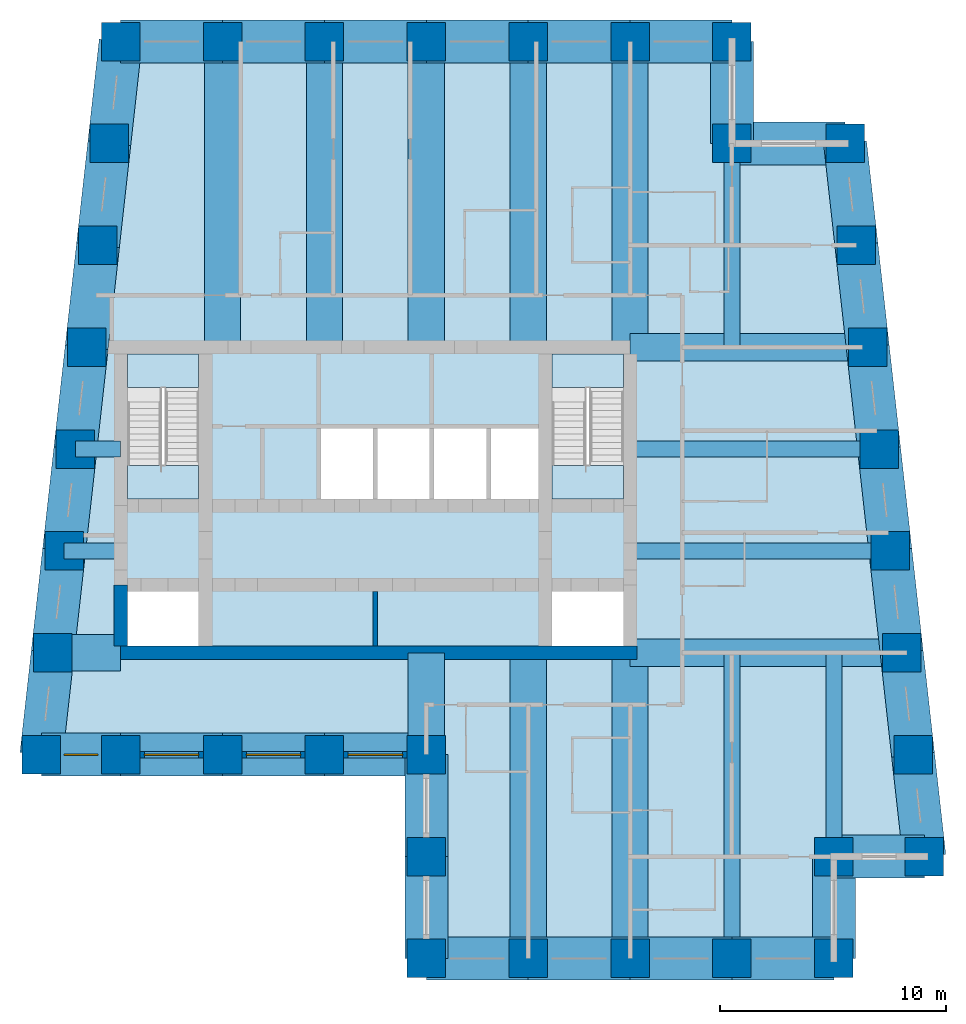
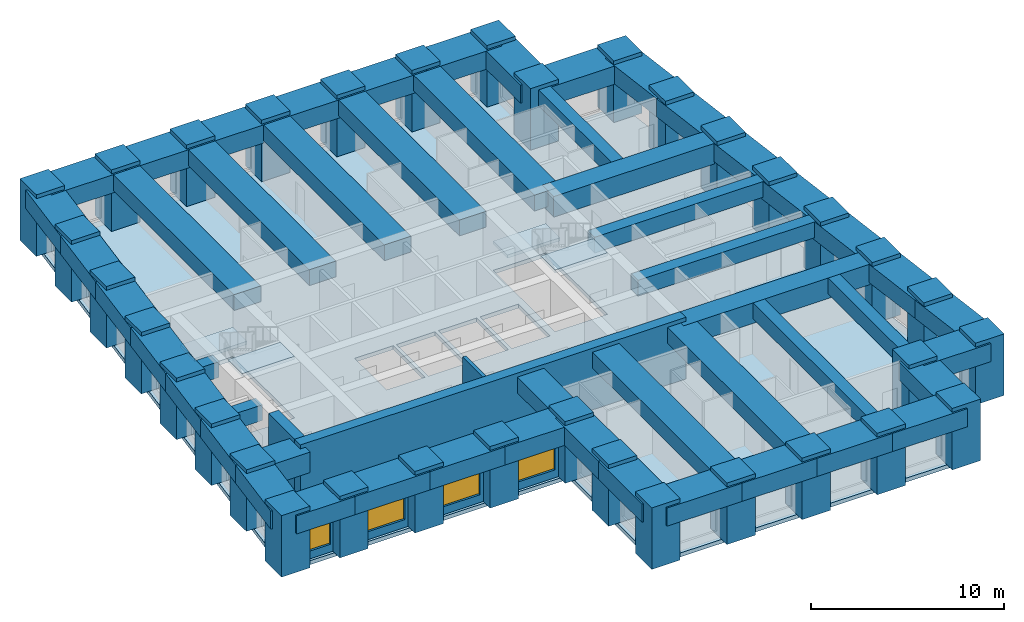
# One storey, part 1 of 7: 52 beams, 34 columns, 5 slabs, 4 walls, 4 windows, 4 openings, 2 elements without a shape of their own.
"""IFC4 building model written with IfcOpenShell, lengths in metres."""

import ifcopenshell
import ifcopenshell.guid

model = None  # the IFC model being written
_history = None  # IfcOwnerHistory: only IFC2X3 demands one
_inside = {}  # id of a spatial element -> (the spatial element, [elements in it])
_under = {}  # id of a project, library or spatial element -> (it, [spatial elements below it])
_declared = {}  # id of a project -> (the project, [libraries it declares])
_typed = {}  # id of a type object -> (the type object, [elements of that type])
_made_of = {}  # id of a material, layer set ... -> (it, [elements and type objects made of it])


def new_model(schema):
    """Start an empty IFC model of exactly this schema.

    Asked for "IFC4X3", IfcOpenShell would pick the latest addendum, in which some entities
    have other attributes; the version numbers below select the first issue.
    IFC2X3 requires an IfcOwnerHistory on every rooted entity: one is made here for all.
    """
    global model, _history
    if schema == "IFC4X3":
        model = ifcopenshell.file(schema_version=(4, 3, 0, 0))
    else:
        model = ifcopenshell.file(schema=schema)
    _inside.clear()
    _under.clear()
    _declared.clear()
    _typed.clear()
    _made_of.clear()
    _history = None
    if model.schema == "IFC2X3":
        org = make("IfcOrganization", Name="unknown")
        user = make(
            "IfcPersonAndOrganization",
            ThePerson=make("IfcPerson", FamilyName="unknown"),
            TheOrganization=org,
        )
        app = make(
            "IfcApplication",
            ApplicationDeveloper=org,
            Version="unknown",
            ApplicationFullName="unknown",
            ApplicationIdentifier="unknown",
        )
        _history = make(
            "IfcOwnerHistory",
            OwningUser=user,
            OwningApplication=app,
            ChangeAction="ADDED",
            CreationDate=0,
        )
    return model


def make(cls, **values):
    """One entity of the class cls with the attributes given. An attribute that is None is left unset."""
    return model.create_entity(
        cls, **{name: value for name, value in values.items() if value is not None}
    )


def rooted(cls, **values):
    """An entity with a GlobalId (a new one), such as an element, a storey or a relation."""
    return make(cls, GlobalId=ifcopenshell.guid.new(), OwnerHistory=_history, **values)


def si_unit(unit_type, name, prefix=None):
    """IfcSIUnit, for example si_unit("LENGTHUNIT", "METRE", prefix="MILLI")."""
    return make("IfcSIUnit", UnitType=unit_type, Prefix=prefix, Name=name)


def assignment(units):
    """IfcUnitAssignment: the units of a project."""
    return None if units is None else make("IfcUnitAssignment", Units=units)


def point(xyz):
    """IfcCartesianPoint."""
    return None if xyz is None else make("IfcCartesianPoint", Coordinates=xyz)


def direction(xyz):
    """IfcDirection."""
    return None if xyz is None else make("IfcDirection", DirectionRatios=xyz)


def frame(location, z_axis=None, x_axis=None):
    """IfcAxis2Placement3D, a coordinate frame: its origin and axes. An axis left out is left unset."""
    return make(
        "IfcAxis2Placement3D",
        Location=point(location),
        Axis=direction(z_axis),
        RefDirection=direction(x_axis),
    )


def frame_2d(location, x_axis=None):
    """IfcAxis2Placement2D, a coordinate frame in the plane: its origin and x axis."""
    return make(
        "IfcAxis2Placement2D", Location=point(location), RefDirection=direction(x_axis)
    )


def origin():
    """The frame at (0, 0, 0) with its axes left unset."""
    return frame((0.0, 0.0, 0.0))


def origin_2d():
    """The frame at (0, 0) in the plane with its x axis left unset."""
    return frame_2d((0.0, 0.0))


def place(relative_to, where):
    """IfcLocalPlacement: puts the frame where relative to a parent placement (None: the world)."""
    return make(
        "IfcLocalPlacement", PlacementRelTo=relative_to, RelativePlacement=where
    )


def context(
    kind, dimensions, precision=None, world=None, true_north=None, identifier=None
):
    """IfcGeometricRepresentationContext, for example the 3D "Model" context."""
    return make(
        "IfcGeometricRepresentationContext",
        ContextIdentifier=identifier,
        ContextType=kind,
        CoordinateSpaceDimension=dimensions,
        Precision=precision,
        WorldCoordinateSystem=world,
        TrueNorth=true_north,
    )


def subcontext(parent, identifier, kind, view, scale=None):
    """IfcGeometricRepresentationSubContext, for example "Body" below "Model"."""
    return make(
        "IfcGeometricRepresentationSubContext",
        ContextIdentifier=identifier,
        ContextType=kind,
        ParentContext=parent,
        TargetScale=scale,
        TargetView=view,
    )


def project(units=None, contexts=None):
    """IfcProject with its units and contexts."""
    return rooted(
        "IfcProject",
        Name="project",
        RepresentationContexts=contexts,
        UnitsInContext=assignment(units),
    )


def spatial(cls, under=None, at=None, **own):
    """A site, building, storey or space (cls), placed at a placement, below another one or the project."""
    s = rooted(cls, ObjectPlacement=at, **own)
    if under is not None:
        _under.setdefault(under.id(), (under, []))[1].append(s)
    return s


def polyline(points):
    """IfcPolyline through the points."""
    return make("IfcPolyline", Points=[point(p) for p in points])


def profile(cls, at=None, kind="AREA", **sizes):
    """A parametric profile (cls). Its sizes go by their IFC names, for example OverallWidth=200.0."""
    return make(cls, ProfileType=kind, Position=at, **sizes)


def rectangle(**sizes):
    """IfcRectangleProfileDef."""
    return profile("IfcRectangleProfileDef", **sizes)


def outline(outer, holes=None, kind="AREA"):
    """IfcArbitraryClosedProfileDef: a profile drawn as a closed curve; with holes, ...WithVoids."""
    if holes is None:
        return make("IfcArbitraryClosedProfileDef", ProfileType=kind, OuterCurve=outer)
    return make(
        "IfcArbitraryProfileDefWithVoids",
        ProfileType=kind,
        OuterCurve=outer,
        InnerCurves=holes,
    )


def extrude(swept, where, along, depth):
    """IfcExtrudedAreaSolid: the profile swept, set in the frame where, extruded along a direction by depth."""
    return make(
        "IfcExtrudedAreaSolid",
        SweptArea=swept,
        Position=where,
        ExtrudedDirection=direction(along),
        Depth=depth,
    )


def shape(context_of_items, identifier, shape_type, items):
    """IfcShapeRepresentation: the items that make up one representation, for example the "Body"."""
    return make(
        "IfcShapeRepresentation",
        ContextOfItems=context_of_items,
        RepresentationIdentifier=identifier,
        RepresentationType=shape_type,
        Items=items,
    )


def material(Name=None, Category=None):
    """IfcMaterial."""
    return make("IfcMaterial", Name=Name, Category=Category)


def layer(
    of_material, thickness, ventilated=None, Name=None, Category=None, Priority=None
):
    """IfcMaterialLayer: one layer of a wall or slab, of a material (None: an air gap)."""
    return make(
        "IfcMaterialLayer",
        Material=of_material,
        LayerThickness=thickness,
        IsVentilated=ventilated,
        Name=Name,
        Category=Category,
        Priority=Priority,
    )


def layer_set(layers, Name=None):
    """IfcMaterialLayerSet."""
    return make("IfcMaterialLayerSet", MaterialLayers=layers, LayerSetName=Name)


def material_profile(
    of_material, cross_section, Name=None, Category=None, Priority=None
):
    """IfcMaterialProfile: a cross section and its material."""
    return make(
        "IfcMaterialProfile",
        Name=Name,
        Material=of_material,
        Profile=cross_section,
        Priority=Priority,
        Category=Category,
    )


def profile_set(profiles, Name=None, composite=None):
    """IfcMaterialProfileSet."""
    return make(
        "IfcMaterialProfileSet",
        Name=Name,
        MaterialProfiles=profiles,
        CompositeProfile=composite,
    )


def made_of(thing, what):
    """Note that an element or type object is made of a material, layer set ...; save() writes the relation."""
    if what is not None:
        _made_of.setdefault(what.id(), (what, []))[1].append(thing)
    return thing


def type_object(cls, material=None, **own):
    """A type object (cls), such as IfcWallType, which elements share."""
    return made_of(rooted(cls, **own), material)


def element(
    cls,
    number,
    at=None,
    inside=None,
    cuts=None,
    type_object=None,
    material=None,
    context=None,
    identifier="Body",
    shape_type=None,
    held_by="IfcProductDefinitionShape",
    body=None,
    shapes=None,
    **own,
):
    """One element of the class cls, such as IfcWall. Its Tag is "e" and its number.

    at: its placement. inside: the storey or other place that contains it. cuts: it is an
    opening in that element (IfcRelVoidsElement). A single representation is given by context,
    identifier, shape_type and body (its items); several are given by shapes. held_by: the class
    of the entity that holds the representations. save() writes the other relations.
    """
    e = rooted(cls, Tag="e%d" % number, ObjectPlacement=at, **own)
    if body is not None:
        shapes = [shape(context, identifier, shape_type, body)]
    if shapes is not None:
        e.Representation = make(held_by, Representations=shapes)
    if inside is not None:
        _inside.setdefault(inside.id(), (inside, []))[1].append(e)
    if cuts is not None:
        rooted(
            "IfcRelVoidsElement", RelatingBuildingElement=cuts, RelatedOpeningElement=e
        )
    if type_object is not None:
        _typed.setdefault(type_object.id(), (type_object, []))[1].append(e)
    return made_of(e, material)


def fill(opening, filler):
    """IfcRelFillsElement: the door or window that sits in an opening."""
    return rooted(
        "IfcRelFillsElement",
        RelatingOpeningElement=opening,
        RelatedBuildingElement=filler,
    )


def aggregate(whole, parts):
    """IfcRelAggregates: a whole, such as a stair, and the parts it consists of."""
    return rooted("IfcRelAggregates", RelatingObject=whole, RelatedObjects=parts)


def save(model, path):
    """Write the relations noted so far, then the file.

    IfcRelAggregates (storeys below a building ...), IfcRelContainedInSpatialStructure (elements
    in a storey), IfcRelDefinesByType, IfcRelAssociatesMaterial and IfcRelDeclares: one each for
    every whole, place, type object, material and project.
    """
    for whole, parts in _under.values():
        aggregate(whole, parts)
    for where, things in _inside.values():
        rooted(
            "IfcRelContainedInSpatialStructure",
            RelatedElements=things,
            RelatingStructure=where,
        )
    for kind, things in _typed.values():
        rooted("IfcRelDefinesByType", RelatedObjects=things, RelatingType=kind)
    for what, things in _made_of.values():
        rooted("IfcRelAssociatesMaterial", RelatedObjects=things, RelatingMaterial=what)
    for by, libraries in _declared.values():
        rooted("IfcRelDeclares", RelatingContext=by, RelatedDefinitions=libraries)
    model.write(path)


model = new_model("IFC4")

# Units and contexts
model_context = context("Model", 3, precision=1e-05, world=origin(), true_north=direction((0.0, 1.0)))
body_context = subcontext(model_context, "Body", "Model", "MODEL_VIEW")
ifc_project = project(units=[si_unit("LENGTHUNIT", "METRE"), si_unit("AREAUNIT", "SQUARE_METRE"), si_unit("VOLUMEUNIT", "CUBIC_METRE"), si_unit("PLANEANGLEUNIT", "RADIAN"), si_unit("MASSUNIT", "GRAM", prefix="KILO")], contexts=[model_context])

# Site, building, storey
site_placement = place(None, origin())
site = spatial("IfcSite", under=ifc_project, at=site_placement, CompositionType="ELEMENT")
building_placement = place(site_placement, origin())
building = spatial("IfcBuilding", under=site, at=building_placement, Name="Kilele Tower Hotel", CompositionType="ELEMENT")
storey_placement = place(building_placement, frame((0.0, 0.0, 233.0)))
storey = spatial("IfcBuildingStorey", under=building, at=storey_placement, Name="L60", CompositionType="ELEMENT", Elevation=233.0)

# Columns
ifc_material_1 = material(Name="Concrete C60/75", Category="concrete")
ifc_material_profile_1 = material_profile(ifc_material_1, rectangle(XDim=1.699951171875, YDim=1.699951171875, at=origin_2d()))
ifc_profile_set_1 = profile_set([ifc_material_profile_1], Name="Concrete C60/75")
column_type = type_object("IfcColumnType", Name="Tube column RC 1700x1700 C60/75", PredefinedType="COLUMN", material=ifc_profile_set_1)
for number, where, z_axis, x_axis, name in (
    (1, (10.0, 9.0, 0.0), (0.0, 0.0, 1.0), (1.0, 0.0, 0.0), "Column TC4 L60"),
    (2, (13.5, 9.0, 0.0), (0.0, 0.0, 1.0), (1.0, 0.0, 0.0), "Column TC4 L60"),
    (3, (18.0, 9.0, 0.0), (0.0, 0.0, 1.0), (1.0, 0.0, 0.0), "Column TC4 L60"),
    (4, (22.5, 9.0, 0.0), (0.0, 0.0, 1.0), (1.0, 0.0, 0.0), "Column TC4 L60"),
    (5, (27.0, 9.0, 0.0), (0.0, 0.0, 1.0), (1.0, 0.0, 0.0), "Column TC4 L60"),
    (6, (27.0, 4.5, 0.0), (0.0, 0.0, 1.0), (1.0, 0.0, 0.0), "Column TC4 L60"),
    (7, (27.0, 0.0, 0.0), (0.0, 0.0, 1.0), (1.0, 0.0, 0.0), "Column TC4 L60"),
    (8, (31.5, 0.0, 0.0), (0.0, 0.0, 1.0), (1.0, 0.0, 0.0), "Column TC4 L60"),
    (9, (36.0, 0.0, 0.0), (0.0, 0.0, 1.0), (1.0, 0.0, 0.0), "Column TC4 L60"),
    (10, (40.5, 0.0, 0.0), (0.0, 0.0, 1.0), (1.0, 0.0, 0.0), "Column TC4 L60"),
    (11, (45.0, 0.0, 0.0), (0.0, 0.0, 1.0), (1.0, 0.0, 0.0), "Column TC4 L60"),
    (12, (45.0, 4.5, 0.0), (0.0, 0.0, 1.0), (1.0, 0.0, 0.0), "Column TC4 L60"),
    (13, (49.0, 4.5, 0.0), (0.0, 0.0, 1.0), (1.0, 0.0, 0.0), "Column TC4 L60"),
    (14, (48.5, 9.0, 0.0), (0.0, 0.0, 1.0), (1.0, 0.0, 0.0), "Column TC4 L60"),
    (15, (48.0, 13.5, 0.0), (0.0, 0.0, 1.0), (1.0, 0.0, 0.0), "Column TC4 L60"),
    (16, (47.5, 18.0, 0.0), (0.0, 0.0, 1.0), (1.0, 0.0, 0.0), "Column TC4 L60"),
    (17, (47.0, 22.5, 0.0), (0.0, 0.0, 1.0), (1.0, 0.0, 0.0), "Column TC4 L60"),
    (18, (46.5, 27.0, 0.0), (0.0, 0.0, 1.0), (1.0, 0.0, 0.0), "Column TC4 L60"),
    (19, (46.0, 31.5, 0.0), (0.0, 0.0, 1.0), (1.0, 0.0, 0.0), "Column TC4 L60"),
    (20, (45.5, 36.0, 0.0), (0.0, 0.0, 1.0), (1.0, 0.0, 0.0), "Column TC4 L60"),
    (21, (40.5, 36.0, 0.0), (0.0, 0.0, 1.0), (1.0, 0.0, 0.0), "Column TC4 L60"),
    (22, (40.5, 40.5, 0.0), (0.0, 0.0, 1.0), (1.0, 0.0, 0.0), "Column TC4 L60"),
    (23, (36.0, 40.5, 0.0), (0.0, 0.0, 1.0), (1.0, 0.0, 0.0), "Column TC4 L60"),
    (24, (31.5, 40.5, 0.0), (0.0, 0.0, 1.0), (1.0, 0.0, 0.0), "Column TC4 L60"),
    (25, (27.0, 40.5, 0.0), (0.0, 0.0, 1.0), (1.0, 0.0, 0.0), "Column TC4 L60"),
    (26, (22.5, 40.5, 0.0), (0.0, 0.0, 1.0), (1.0, 0.0, 0.0), "Column TC4 L60"),
    (27, (18.0, 40.5, 0.0), (0.0, 0.0, 1.0), (1.0, 0.0, 0.0), "Column TC4 L60"),
    (28, (13.5, 40.5, 0.0), (0.0, 0.0, 1.0), (1.0, 0.0, 0.0), "Column TC4 L60"),
    (29, (13.0, 36.0, 0.0), (0.0, 0.0, 1.0), (1.0, 0.0, 0.0), "Column TC4 L60"),
    (30, (12.5, 31.5, 0.0), (0.0, 0.0, 1.0), (1.0, 0.0, 0.0), "Column TC4 L60"),
    (31, (12.0, 27.0, 0.0), (0.0, 0.0, 1.0), (1.0, 0.0, 0.0), "Column TC4 L60"),
    (32, (11.5, 22.5, 0.0), (0.0, 0.0, 1.0), (1.0, 0.0, 0.0), "Column TC4 L60"),
    (33, (11.0, 18.0, 0.0), (0.0, 0.0, 1.0), (1.0, 0.0, 0.0), "Column TC4 L60"),
    (34, (10.5, 13.5, 0.0), (0.0, 0.0, 1.0), (1.0, 0.0, 0.0), "Column TC4 L60"),
):
    element("IfcColumn", number, at=place(storey_placement, frame(where, z_axis=z_axis, x_axis=x_axis)), inside=storey, type_object=column_type, Name=name, PredefinedType="COLUMN", context=body_context, shape_type="SweptSolid", body=[
        extrude(rectangle(XDim=1.699951171875, YDim=1.699951171875, at=origin_2d()), origin(), (0.0, 0.0, 1.0), 3.89990234375),
    ])

# Beams
ifc_material_2 = material(Name="Concrete C60/75", Category="concrete")
ifc_material_profile_2 = material_profile(ifc_material_2, rectangle(XDim=1.60009765625, YDim=1.0, at=origin_2d()))
ifc_profile_set_2 = profile_set([ifc_material_profile_2], Name="Concrete C60/75")
beam_type_1 = type_object("IfcBeamType", Name="Beam RC 1600x1000 C60/75", PredefinedType="BEAM", material=ifc_profile_set_2)
for number, where, z_axis, x_axis, name in (
    (35, (31.5, 0.0, 3.14990234375), (0.0, 1.0, 0.0), (-1.0, 0.0, 0.0), "Beam BC1 level L61"),
    (36, (36.0, 0.0, 3.14990234375), (0.0, 1.0, 0.0), (-1.0, 0.0, 0.0), "Beam BC1 level L61"),
    (37, (36.0, 40.5, 3.14990234375), (0.0, -1.0, 0.0), (1.0, 0.0, 0.0), "Beam BC1 level L61"),
    (38, (31.5, 40.5, 3.14990234375), (0.0, -1.0, 0.0), (1.0, 0.0, 0.0), "Beam BC1 level L61"),
    (39, (27.0, 40.5, 3.14990234375), (0.0, -1.0, 0.0), (1.0, 0.0, 0.0), "Beam BC1 level L61"),
    (40, (22.5, 40.5, 3.14990234375), (0.0, -1.0, 0.0), (1.0, 0.0, 0.0), "Beam BC1 level L61"),
    (41, (18.0, 40.5, 3.14990234375), (0.0, -1.0, 0.0), (1.0, 0.0, 0.0), "Beam BC1 level L61"),
):
    element("IfcBeam", number, at=place(storey_placement, frame(where, z_axis=z_axis, x_axis=x_axis)), inside=storey, type_object=beam_type_1, Name=name, PredefinedType="BEAM", context=body_context, shape_type="SweptSolid", body=[
        extrude(rectangle(XDim=1.60009765625, YDim=1.0, at=origin_2d()), origin(), (0.0, 0.0, 1.0), 13.5),
    ])
ifc_material_3 = material(Name="Concrete C60/75", Category="concrete")
ifc_material_profile_3 = material_profile(ifc_material_3, rectangle(XDim=1.60009765625, YDim=1.0, at=origin_2d()))
ifc_profile_set_3 = profile_set([ifc_material_profile_3], Name="Concrete C60/75")
beam_type_2 = type_object("IfcBeamType", Name="Beam RC 1600x1000 C60/75 short span", PredefinedType="BEAM", material=ifc_profile_set_3)
beam_1_placement = place(storey_placement, frame((27.0, 9.0, 3.14990234375), z_axis=(0.0, 1.0, 0.0), x_axis=(-1.0, 0.0, 0.0)))
element("IfcBeam", 42, at=beam_1_placement, inside=storey, type_object=beam_type_2, Name="Beam BC2 level L61", PredefinedType="BEAM", context=body_context, shape_type="SweptSolid", body=[
    extrude(rectangle(XDim=1.60009765625, YDim=1.0, at=origin_2d()), origin(), (0.0, 0.0, 1.0), 4.5),
])
ifc_material_4 = material(Name="Concrete C60/75", Category="concrete")
ifc_material_profile_4 = material_profile(ifc_material_4, rectangle(XDim=0.699951171875, YDim=1.0, at=origin_2d()))
ifc_profile_set_4 = profile_set([ifc_material_profile_4], Name="Concrete C60/75")
beam_type_3 = type_object("IfcBeamType", Name="Beam RC 700x1000 C60/75", PredefinedType="BEAM", material=ifc_profile_set_4)
beam_2_placement = place(storey_placement, frame((40.5, 0.0, 3.14990234375), z_axis=(0.0, 1.0, 0.0), x_axis=(-1.0, 0.0, 0.0)))
element("IfcBeam", 43, at=beam_2_placement, inside=storey, type_object=beam_type_3, Name="Beam B4 level L61", PredefinedType="BEAM", context=body_context, shape_type="SweptSolid", body=[
    extrude(rectangle(XDim=0.699951171875, YDim=1.0, at=origin_2d()), origin(), (0.0, 0.0, 1.0), 13.5),
])
ifc_material_5 = material(Name="Concrete C60/75", Category="concrete")
ifc_material_profile_5 = material_profile(ifc_material_5, rectangle(XDim=0.699951171875, YDim=1.0, at=origin_2d()))
ifc_profile_set_5 = profile_set([ifc_material_profile_5], Name="Concrete C60/75")
beam_type_4 = type_object("IfcBeamType", Name="Beam RC 700x1000 C60/75 mid span", PredefinedType="BEAM", material=ifc_profile_set_5)
beam_3_placement = place(storey_placement, frame((45.0, 4.5, 3.14990234375), z_axis=(0.0, 1.0, 0.0), x_axis=(-1.0, 0.0, 0.0)))
element("IfcBeam", 44, at=beam_3_placement, inside=storey, type_object=beam_type_4, Name="Beam B5 level L61", PredefinedType="BEAM", context=body_context, shape_type="SweptSolid", body=[
    extrude(rectangle(XDim=0.699951171875, YDim=1.0, at=origin_2d()), origin(), (0.0, 0.0, 1.0), 9.0),
])
beam_4_placement = place(storey_placement, frame((47.5, 18.0, 3.14990234375), z_axis=(-1.0, 0.0, 0.0), x_axis=(0.0, -1.0, 0.0)))
element("IfcBeam", 45, at=beam_4_placement, inside=storey, type_object=beam_type_4, Name="Beam B5 level L61", PredefinedType="BEAM", context=body_context, shape_type="SweptSolid", body=[
    extrude(rectangle(XDim=0.699951171875, YDim=1.0, at=origin_2d()), origin(), (0.0, 0.0, 1.0), 11.5),
])
beam_5_placement = place(storey_placement, frame((47.0, 22.5, 3.14990234375), z_axis=(-1.0, 0.0, 0.0), x_axis=(0.0, -1.0, 0.0)))
element("IfcBeam", 46, at=beam_5_placement, inside=storey, type_object=beam_type_4, Name="Beam B5 level L61", PredefinedType="BEAM", context=body_context, shape_type="SweptSolid", body=[
    extrude(rectangle(XDim=0.699951171875, YDim=1.0, at=origin_2d()), origin(), (0.0, 0.0, 1.0), 11.0),
])
beam_6_placement = place(storey_placement, frame((40.5, 36.0, 3.14990234375), z_axis=(0.0, -1.0, 0.0), x_axis=(1.0, 0.0, 0.0)))
element("IfcBeam", 47, at=beam_6_placement, inside=storey, type_object=beam_type_4, Name="Beam B5 level L61", PredefinedType="BEAM", context=body_context, shape_type="SweptSolid", body=[
    extrude(rectangle(XDim=0.699951171875, YDim=1.0, at=origin_2d()), origin(), (0.0, 0.0, 1.0), 9.0),
])
ifc_material_6 = material(Name="Concrete C60/75", Category="concrete")
ifc_material_profile_6 = material_profile(ifc_material_6, rectangle(XDim=0.699951171875, YDim=1.0, at=origin_2d()))
ifc_profile_set_6 = profile_set([ifc_material_profile_6], Name="Concrete C60/75")
beam_type_5 = type_object("IfcBeamType", Name="Beam RC 700x1000 C60/75 short span", PredefinedType="BEAM", material=ifc_profile_set_6)
beam_7_placement = place(storey_placement, frame((11.5, 22.5, 3.14990234375), z_axis=(1.0, 0.0, 0.0), x_axis=(0.0, 1.0, 0.0)))
element("IfcBeam", 48, at=beam_7_placement, inside=storey, type_object=beam_type_5, Name="Beam B6 level L61", PredefinedType="BEAM", context=body_context, shape_type="SweptSolid", body=[
    extrude(rectangle(XDim=0.699951171875, YDim=1.0, at=origin_2d()), origin(), (0.0, 0.0, 1.0), 2.0),
])
beam_8_placement = place(storey_placement, frame((11.0, 18.0, 3.14990234375), z_axis=(1.0, 0.0, 0.0), x_axis=(0.0, 1.0, 0.0)))
element("IfcBeam", 49, at=beam_8_placement, inside=storey, type_object=beam_type_5, Name="Beam B6 level L61", PredefinedType="BEAM", context=body_context, shape_type="SweptSolid", body=[
    extrude(rectangle(XDim=0.699951171875, YDim=1.0, at=origin_2d()), origin(), (0.0, 0.0, 1.0), 2.5),
])
ifc_material_7 = material(Name="Concrete C60/75", Category="concrete")
ifc_material_profile_7 = material_profile(ifc_material_7, rectangle(XDim=1.60009765625, YDim=1.300048828125, at=origin_2d()))
ifc_profile_set_7 = profile_set([ifc_material_profile_7], Name="Concrete C60/75")
beam_type_6 = type_object("IfcBeamType", Name="Coupling girder RC 1600x1300 C60/75", PredefinedType="BEAM", material=ifc_profile_set_7)
beam_9_placement = place(storey_placement, frame((10.5, 13.5, 3.0), z_axis=(1.0, 0.0, 0.0), x_axis=(0.0, 1.0, 0.0)))
element("IfcBeam", 50, at=beam_9_placement, inside=storey, type_object=beam_type_6, Name="Coupling girder G2 level L61", PredefinedType="BEAM", context=body_context, shape_type="SweptSolid", body=[
    extrude(rectangle(XDim=1.60009765625, YDim=1.300048828125, at=origin_2d()), origin(), (0.0, 0.0, 1.0), 3.0),
])
ifc_material_8 = material(Name="Concrete C60/75", Category="concrete")
ifc_material_profile_8 = material_profile(ifc_material_8, rectangle(XDim=1.199951171875, YDim=1.300048828125, at=origin_2d()))
ifc_profile_set_8 = profile_set([ifc_material_profile_8], Name="Concrete C60/75")
beam_type_7 = type_object("IfcBeamType", Name="Girder RC 1200x1300 C60/75", PredefinedType="BEAM", material=ifc_profile_set_8)
beam_10_placement = place(storey_placement, frame((48.0, 13.5, 3.0), z_axis=(-1.0, 0.0, 0.0), x_axis=(0.0, -1.0, 0.0)))
element("IfcBeam", 51, at=beam_10_placement, inside=storey, type_object=beam_type_7, Name="Girder G1 level L61", PredefinedType="BEAM", context=body_context, shape_type="SweptSolid", body=[
    extrude(rectangle(XDim=1.199951171875, YDim=1.300048828125, at=origin_2d()), origin(), (0.0, 0.0, 1.0), 12.0),
])
ifc_material_9 = material(Name="Concrete C60/75", Category="concrete")
ifc_material_profile_9 = material_profile(ifc_material_9, rectangle(XDim=1.199951171875, YDim=1.300048828125, at=origin_2d()))
ifc_profile_set_9 = profile_set([ifc_material_profile_9], Name="Concrete C60/75")
beam_type_8 = type_object("IfcBeamType", Name="Girder RC 1200x1300 C60/75 mid span", PredefinedType="BEAM", material=ifc_profile_set_9)
beam_11_placement = place(storey_placement, frame((46.5, 27.0, 3.0), z_axis=(-1.0, 0.0, 0.0), x_axis=(0.0, -1.0, 0.0)))
element("IfcBeam", 52, at=beam_11_placement, inside=storey, type_object=beam_type_8, Name="Girder G3 level L61", PredefinedType="BEAM", context=body_context, shape_type="SweptSolid", body=[
    extrude(rectangle(XDim=1.199951171875, YDim=1.300048828125, at=origin_2d()), origin(), (0.0, 0.0, 1.0), 10.5),
])
ifc_material_10 = material(Name="Concrete C60/75", Category="concrete")
ifc_material_profile_10 = material_profile(ifc_material_10, rectangle(XDim=1.89990234375, YDim=1.14990234375, at=origin_2d()))
ifc_profile_set_10 = profile_set([ifc_material_profile_10], Name="Concrete C60/75")
beam_type_9 = type_object("IfcBeamType", Name="Spandrel RC 1900x1150 C60/75", PredefinedType="SPANDREL", material=ifc_profile_set_10)
beam_12_placement = place(storey_placement, frame((10.0, 9.0, 3.074951171875), z_axis=(1.0, 0.0, 0.0), x_axis=(0.0, 1.0, 0.0)))
element("IfcBeam", 53, at=beam_12_placement, inside=storey, type_object=beam_type_9, Name="Spandrel SP8 level L61", PredefinedType="SPANDREL", context=body_context, shape_type="SweptSolid", body=[
    extrude(rectangle(XDim=1.89990234375, YDim=1.14990234375, at=origin_2d()), origin(), (0.0, 0.0, 1.0), 3.5),
])
for number, where, z_axis, x_axis, name in (
    (54, (13.5, 9.0, 3.074951171875), (1.0, 0.0, 0.0), (0.0, 1.0, 0.0), "Spandrel SP8 level L61"),
    (55, (18.0, 9.0, 3.074951171875), (1.0, 0.0, 0.0), (0.0, 1.0, 0.0), "Spandrel SP8 level L61"),
    (56, (22.5, 9.0, 3.074951171875), (1.0, 0.0, 0.0), (0.0, 1.0, 0.0), "Spandrel SP8 level L61"),
    (57, (27.0, 9.0, 3.074951171875), (0.0, -1.0, 0.0), (1.0, 0.0, 0.0), "Spandrel SP8 level L61"),
    (58, (27.0, 4.5, 3.074951171875), (0.0, -1.0, 0.0), (1.0, 0.0, 0.0), "Spandrel SP8 level L61"),
    (59, (27.0, 0.0, 3.074951171875), (1.0, 0.0, 0.0), (0.0, 1.0, 0.0), "Spandrel SP8 level L61"),
    (60, (31.5, 0.0, 3.074951171875), (1.0, 0.0, 0.0), (0.0, 1.0, 0.0), "Spandrel SP8 level L61"),
    (61, (36.0, 0.0, 3.074951171875), (1.0, 0.0, 0.0), (0.0, 1.0, 0.0), "Spandrel SP8 level L61"),
    (62, (40.5, 0.0, 3.074951171875), (1.0, 0.0, 0.0), (0.0, 1.0, 0.0), "Spandrel SP8 level L61"),
    (63, (45.0, 0.0, 3.074951171875), (0.0, 1.0, 0.0), (-1.0, 0.0, 0.0), "Spandrel SP8 level L61"),
):
    element("IfcBeam", number, at=place(storey_placement, frame(where, z_axis=z_axis, x_axis=x_axis)), inside=storey, type_object=beam_type_9, Name=name, PredefinedType="SPANDREL", context=body_context, shape_type="SweptSolid", body=[
        extrude(rectangle(XDim=1.89990234375, YDim=1.14990234375, at=origin_2d()), origin(), (0.0, 0.0, 1.0), 4.5),
    ])
beam_13_placement = place(storey_placement, frame((45.0, 4.5, 3.074951171875), z_axis=(1.0, 0.0, 0.0), x_axis=(0.0, 1.0, 0.0)))
element("IfcBeam", 64, at=beam_13_placement, inside=storey, type_object=beam_type_9, Name="Spandrel SP8 level L61", PredefinedType="SPANDREL", context=body_context, shape_type="SweptSolid", body=[
    extrude(rectangle(XDim=1.89990234375, YDim=1.14990234375, at=origin_2d()), origin(), (0.0, 0.0, 1.0), 4.0),
])
for number, where, z_axis, x_axis, name in (
    (65, (49.0, 4.5, 3.074951171875), (-0.110431526075, 0.993883734674, 0.0), (-0.993883734674, -0.110431526075, 0.0), "Spandrel SP8 level L61"),
    (66, (48.5, 9.0, 3.074951171875), (-0.110431526075, 0.993883734674, 0.0), (-0.993883734674, -0.110431526075, 0.0), "Spandrel SP8 level L61"),
    (67, (48.0, 13.5, 3.074951171875), (-0.110431526075, 0.993883734674, 0.0), (-0.993883734674, -0.110431526075, 0.0), "Spandrel SP8 level L61"),
    (68, (47.5, 18.0, 3.074951171875), (-0.110431526075, 0.993883734674, 0.0), (-0.993883734674, -0.110431526075, 0.0), "Spandrel SP8 level L61"),
    (69, (47.0, 22.5, 3.074951171875), (-0.110431526075, 0.993883734674, 0.0), (-0.993883734674, -0.110431526075, 0.0), "Spandrel SP8 level L61"),
    (70, (46.5, 27.0, 3.074951171875), (-0.110431526075, 0.993883734674, 0.0), (-0.993883734674, -0.110431526075, 0.0), "Spandrel SP8 level L61"),
    (71, (46.0, 31.5, 3.074951171875), (-0.110431526075, 0.993883734674, 0.0), (-0.993883734674, -0.110431526075, 0.0), "Spandrel SP8 level L61"),
):
    element("IfcBeam", number, at=place(storey_placement, frame(where, z_axis=z_axis, x_axis=x_axis)), inside=storey, type_object=beam_type_9, Name=name, PredefinedType="SPANDREL", context=body_context, shape_type="SweptSolid", body=[
        extrude(rectangle(XDim=1.89990234375, YDim=1.14990234375, at=origin_2d()), origin(), (0.0, 0.0, 1.0), 4.527587890625),
    ])
beam_14_placement = place(storey_placement, frame((45.5, 36.0, 3.074951171875), z_axis=(-1.0, 0.0, 0.0), x_axis=(0.0, -1.0, 0.0)))
element("IfcBeam", 72, at=beam_14_placement, inside=storey, type_object=beam_type_9, Name="Spandrel SP8 level L61", PredefinedType="SPANDREL", context=body_context, shape_type="SweptSolid", body=[
    extrude(rectangle(XDim=1.89990234375, YDim=1.14990234375, at=origin_2d()), origin(), (0.0, 0.0, 1.0), 5.0),
])
for number, where, z_axis, x_axis, name in (
    (73, (40.5, 36.0, 3.074951171875), (0.0, 1.0, 0.0), (-1.0, 0.0, 0.0), "Spandrel SP8 level L61"),
    (74, (40.5, 40.5, 3.074951171875), (-1.0, 0.0, 0.0), (0.0, -1.0, 0.0), "Spandrel SP8 level L61"),
    (75, (36.0, 40.5, 3.074951171875), (-1.0, 0.0, 0.0), (0.0, -1.0, 0.0), "Spandrel SP8 level L61"),
    (76, (31.5, 40.5, 3.074951171875), (-1.0, 0.0, 0.0), (0.0, -1.0, 0.0), "Spandrel SP8 level L61"),
    (77, (27.0, 40.5, 3.074951171875), (-1.0, 0.0, 0.0), (0.0, -1.0, 0.0), "Spandrel SP8 level L61"),
    (78, (22.5, 40.5, 3.074951171875), (-1.0, 0.0, 0.0), (0.0, -1.0, 0.0), "Spandrel SP8 level L61"),
    (79, (18.0, 40.5, 3.074951171875), (-1.0, 0.0, 0.0), (0.0, -1.0, 0.0), "Spandrel SP8 level L61"),
):
    element("IfcBeam", number, at=place(storey_placement, frame(where, z_axis=z_axis, x_axis=x_axis)), inside=storey, type_object=beam_type_9, Name=name, PredefinedType="SPANDREL", context=body_context, shape_type="SweptSolid", body=[
        extrude(rectangle(XDim=1.89990234375, YDim=1.14990234375, at=origin_2d()), origin(), (0.0, 0.0, 1.0), 4.5),
    ])
for number, where, z_axis, x_axis, name in (
    (80, (13.5, 40.5, 3.074951171875), (-0.110431526075, -0.993883734674, 0.0), (0.993883734674, -0.110431526075, 0.0), "Spandrel SP8 level L61"),
    (81, (13.0, 36.0, 3.074951171875), (-0.110431526075, -0.993883734674, 0.0), (0.993883734674, -0.110431526075, 0.0), "Spandrel SP8 level L61"),
    (82, (12.5, 31.5, 3.074951171875), (-0.110431526075, -0.993883734674, 0.0), (0.993883734674, -0.110431526075, 0.0), "Spandrel SP8 level L61"),
    (83, (12.0, 27.0, 3.074951171875), (-0.110431526075, -0.993883734674, 0.0), (0.993883734674, -0.110431526075, 0.0), "Spandrel SP8 level L61"),
    (84, (11.5, 22.5, 3.074951171875), (-0.110431526075, -0.993883734674, 0.0), (0.993883734674, -0.110431526075, 0.0), "Spandrel SP8 level L61"),
    (85, (11.0, 18.0, 3.074951171875), (-0.110431526075, -0.993883734674, 0.0), (0.993883734674, -0.110431526075, 0.0), "Spandrel SP8 level L61"),
    (86, (10.5, 13.5, 3.074951171875), (-0.110431526075, -0.993883734674, 0.0), (0.993883734674, -0.110431526075, 0.0), "Spandrel SP8 level L61"),
):
    element("IfcBeam", number, at=place(storey_placement, frame(where, z_axis=z_axis, x_axis=x_axis)), inside=storey, type_object=beam_type_9, Name=name, PredefinedType="SPANDREL", context=body_context, shape_type="SweptSolid", body=[
        extrude(rectangle(XDim=1.89990234375, YDim=1.14990234375, at=origin_2d()), origin(), (0.0, 0.0, 1.0), 4.527587890625),
    ])

# Slab
ifc_material_11 = material(Name="Concrete C60/75", Category="concrete")
ifc_layer_1 = layer(ifc_material_11, 0.25)
ifc_layer_set_1 = layer_set([ifc_layer_1], Name="Concrete C60/75")
slab_type_1 = type_object("IfcSlabType", Name="Floor slab 250", PredefinedType="FLOOR", material=ifc_layer_set_1)
slab_1_placement = place(storey_placement, frame((0.0, 0.0, -0.25)))
element("IfcSlab", 87, at=slab_1_placement, inside=storey, type_object=slab_type_1, Name="Floor slab L60", PredefinedType="FLOOR", context=body_context, shape_type="SweptSolid", body=[
    extrude(outline(polyline([(40.800048828125, 40.800048828125), (40.800048828125, 36.300048828125), (45.7685546875, 36.300048828125), (49.335205078125, 4.199951171875), (45.300048828125, 4.199951171875), (45.300048828125, -0.300048828125), (26.699951171875, -0.300048828125), (26.699951171875, 8.699951171875), (9.664794921875, 8.699951171875), (13.2314453125, 40.800048828125), (40.800048828125, 40.800048828125)]), holes=[polyline([(16.949951171875, 16.199951171875), (13.800048828125, 16.199951171875), (13.800048828125, 13.800048828125), (16.949951171875, 13.800048828125), (16.949951171875, 16.199951171875)]), polyline([(35.699951171875, 16.199951171875), (32.550048828125, 16.199951171875), (32.550048828125, 13.800048828125), (35.699951171875, 13.800048828125), (35.699951171875, 16.199951171875)]), polyline([(24.64990234375, 23.39990234375), (22.35009765625, 23.39990234375), (22.35009765625, 20.10009765625), (24.64990234375, 20.10009765625), (24.64990234375, 23.39990234375)]), polyline([(27.14990234375, 23.39990234375), (24.85009765625, 23.39990234375), (24.85009765625, 20.10009765625), (27.14990234375, 20.10009765625), (27.14990234375, 23.39990234375)]), polyline([(29.64990234375, 23.39990234375), (27.35009765625, 23.39990234375), (27.35009765625, 20.10009765625), (29.64990234375, 20.10009765625), (29.64990234375, 23.39990234375)]), polyline([(32.14990234375, 23.39990234375), (29.85009765625, 23.39990234375), (29.85009765625, 20.10009765625), (32.14990234375, 20.10009765625), (32.14990234375, 23.39990234375)]), polyline([(16.949951171875, 26.699951171875), (13.800048828125, 26.699951171875), (13.800048828125, 20.300048828125), (16.949951171875, 20.300048828125), (16.949951171875, 26.699951171875)]), polyline([(35.699951171875, 26.699951171875), (32.550048828125, 26.699951171875), (32.550048828125, 20.300048828125), (35.699951171875, 20.300048828125), (35.699951171875, 26.699951171875)])]), origin(), (0.0, 0.0, 1.0), 0.25),
])

# Stair, slabs
ifc_material_12 = material(Name="Precast concrete C40/50", Category="concrete")
stair_type = type_object("IfcStairType", Name="Stair 1475 x 3900", PredefinedType="HALF_TURN_STAIR", material=ifc_material_12)
stair_1_placement = place(storey_placement, origin())
stair_1 = element("IfcStair", 88, at=stair_1_placement, inside=storey, type_object=stair_type, Name="Stair 1 L60", PredefinedType="HALF_TURN_STAIR")
ifc_material_13 = material(Name="Precast concrete C40/50", Category="concrete")
ifc_layer_2 = layer(ifc_material_13, 0.199951171875)
ifc_layer_set_2 = layer_set([ifc_layer_2], Name="Precast concrete C40/50")
slab_type_2 = type_object("IfcSlabType", Name="Stair landing 200", PredefinedType="LANDING", material=ifc_layer_set_2)
slab_2_placement = place(storey_placement, frame((0.0, 0.0, 1.665283203125)))
slab_2 = element("IfcSlab", 89, at=slab_2_placement, type_object=slab_type_2, Name="ST1 landing 1", PredefinedType="LANDING", context=body_context, shape_type="SweptSolid", body=[
    extrude(outline(polyline([(13.800048828125, 25.22509765625), (16.949951171875, 25.22509765625), (16.949951171875, 26.699951171875), (13.800048828125, 26.699951171875), (13.800048828125, 25.22509765625)])), origin(), (0.0, 0.0, 1.0), 0.199951171875),
])
slab_3_placement = place(storey_placement, frame((0.0, 0.0, 3.699951171875)))
slab_3 = element("IfcSlab", 90, at=slab_3_placement, type_object=slab_type_2, Name="ST1 landing 2", PredefinedType="LANDING", context=body_context, shape_type="SweptSolid", body=[
    extrude(outline(polyline([(13.800048828125, 20.300048828125), (16.949951171875, 20.300048828125), (16.949951171875, 21.77490234375), (13.800048828125, 21.77490234375), (13.800048828125, 20.300048828125)])), origin(), (0.0, 0.0, 1.0), 0.199951171875),
])
aggregate(stair_1, [slab_2, slab_3])

stair_2_placement = place(storey_placement, origin())
stair_2 = element("IfcStair", 91, at=stair_2_placement, inside=storey, type_object=stair_type, Name="Stair 2 L60", PredefinedType="HALF_TURN_STAIR")
slab_4_placement = place(storey_placement, frame((0.0, 0.0, 1.665283203125)))
slab_4 = element("IfcSlab", 92, at=slab_4_placement, type_object=slab_type_2, Name="ST2 landing 1", PredefinedType="LANDING", context=body_context, shape_type="SweptSolid", body=[
    extrude(outline(polyline([(32.550048828125, 25.22509765625), (35.699951171875, 25.22509765625), (35.699951171875, 26.699951171875), (32.550048828125, 26.699951171875), (32.550048828125, 25.22509765625)])), origin(), (0.0, 0.0, 1.0), 0.199951171875),
])
slab_5_placement = place(storey_placement, frame((0.0, 0.0, 3.699951171875)))
slab_5 = element("IfcSlab", 93, at=slab_5_placement, type_object=slab_type_2, Name="ST2 landing 2", PredefinedType="LANDING", context=body_context, shape_type="SweptSolid", body=[
    extrude(outline(polyline([(32.550048828125, 20.300048828125), (35.699951171875, 20.300048828125), (35.699951171875, 21.77490234375), (32.550048828125, 21.77490234375), (32.550048828125, 20.300048828125)])), origin(), (0.0, 0.0, 1.0), 0.199951171875),
])
aggregate(stair_2, [slab_4, slab_5])

# Walls
ifc_material_14 = material(Name="Concrete C60/75", Category="concrete")
ifc_layer_3 = layer(ifc_material_14, 0.60009765625)
ifc_layer_set_3 = layer_set([ifc_layer_3], Name="Concrete C60/75")
wall_type_1 = type_object("IfcWallType", Name="Core wall 600 C60/75", PredefinedType="SHEAR", material=ifc_layer_set_3)
wall_1_placement = place(storey_placement, frame((13.199951171875, 13.5, 0.0), z_axis=(0.0, 0.0, 1.0), x_axis=(1.0, 0.0, 0.0)))
element("IfcWall", 94, at=wall_1_placement, inside=storey, type_object=wall_type_1, Name="Core wall S L60", PredefinedType="SHEAR", context=body_context, shape_type="SweptSolid", body=[
    extrude(rectangle(XDim=23.10009765625, YDim=0.60009765625, at=frame_2d((11.550048828125, 0.0))), origin(), (0.0, 0.0, 1.0), 3.89990234375),
])
wall_2_placement = place(storey_placement, frame((13.5, 16.5, 0.0), z_axis=(0.0, 0.0, 1.0), x_axis=(0.0, -1.0, 0.0)))
element("IfcWall", 95, at=wall_2_placement, inside=storey, type_object=wall_type_1, Name="Core wall W3 L60", PredefinedType="SHEAR", context=body_context, shape_type="SweptSolid", body=[
    extrude(rectangle(XDim=2.699951171875, YDim=0.60009765625, at=frame_2d((1.35009765625, 0.0))), origin(), (0.0, 0.0, 1.0), 3.89990234375),
])

# Wall, openings, windows
ifc_material_15 = material(Name="Concrete C40/50 precast", Category="concrete")
ifc_layer_4 = layer(ifc_material_15, 0.260009765625, Name="Precast backing", Category="LoadBearing")
ifc_material_16 = material(Name="Reconstituted stone finish", Category="masonry")
ifc_layer_5 = layer(ifc_material_16, 0.0400390625, Name="Face mix", Category="Finish")
ifc_layer_set_4 = layer_set([ifc_layer_4, ifc_layer_5], Name="Precast concrete C40/50, reconstituted stone finish")
wall_type_2 = type_object("IfcWallType", Name="Precast stone facade wall 300", PredefinedType="STANDARD", material=ifc_layer_set_4)
wall_3_placement = place(storey_placement, frame((9.85009765625, 9.0, 0.0), z_axis=(0.0, 0.0, 1.0), x_axis=(1.0, 0.0, 0.0)))
wall_3 = element("IfcWall", 96, at=wall_3_placement, inside=storey, type_object=wall_type_2, Name="Facade wall L60 edge 1", PredefinedType="STANDARD", context=body_context, shape_type="SweptSolid", body=[
    extrude(rectangle(XDim=17.2998046875, YDim=0.300048828125, at=frame_2d((8.64990234375, 0.0))), origin(), (0.0, 0.0, 1.0), 2.5),
])
opening_1_placement = place(wall_3_placement, frame((1.14990234375, 0.0, 0.5)))
opening_1 = element("IfcOpeningElement", 97, at=opening_1_placement, cuts=wall_3, Name="Opening W4", PredefinedType="OPENING", context=body_context, shape_type="SweptSolid", body=[
    extrude(rectangle(XDim=1.5, YDim=1.85009765625, at=frame_2d((0.75, 0.925048828125))), frame((0.0, 0.159912109375, 0.0), z_axis=(0.0, -1.0, 0.0), x_axis=(1.0, 0.0, 0.0)), (0.0, 0.0, 1.0), 0.320068359375),
])
opening_2_placement = place(wall_3_placement, frame((4.699951171875, 0.0, 0.5)))
opening_2 = element("IfcOpeningElement", 98, at=opening_2_placement, cuts=wall_3, Name="Opening W4", PredefinedType="OPENING", context=body_context, shape_type="SweptSolid", body=[
    extrude(rectangle(XDim=2.39990234375, YDim=1.85009765625, at=frame_2d((1.199951171875, 0.925048828125))), frame((0.0, 0.159912109375, 0.0), z_axis=(0.0, -1.0, 0.0), x_axis=(1.0, 0.0, 0.0)), (0.0, 0.0, 1.0), 0.320068359375),
])
opening_3_placement = place(wall_3_placement, frame((9.199951171875, 0.0, 0.5)))
opening_3 = element("IfcOpeningElement", 99, at=opening_3_placement, cuts=wall_3, Name="Opening W4", PredefinedType="OPENING", context=body_context, shape_type="SweptSolid", body=[
    extrude(rectangle(XDim=2.39990234375, YDim=1.85009765625, at=frame_2d((1.199951171875, 0.925048828125))), frame((0.0, 0.159912109375, 0.0), z_axis=(0.0, -1.0, 0.0), x_axis=(1.0, 0.0, 0.0)), (0.0, 0.0, 1.0), 0.320068359375),
])
opening_4_placement = place(wall_3_placement, frame((13.699951171875, 0.0, 0.5)))
opening_4 = element("IfcOpeningElement", 100, at=opening_4_placement, cuts=wall_3, Name="Opening W4", PredefinedType="OPENING", context=body_context, shape_type="SweptSolid", body=[
    extrude(rectangle(XDim=2.39990234375, YDim=1.85009765625, at=frame_2d((1.199951171875, 0.925048828125))), frame((0.0, 0.159912109375, 0.0), z_axis=(0.0, -1.0, 0.0), x_axis=(1.0, 0.0, 0.0)), (0.0, 0.0, 1.0), 0.320068359375),
])
ifc_material_17 = material(Name="Aluminium frame, clear double glazing", Category="aluminium")
window_type_1 = type_object("IfcWindowType", Name="Window W4 1500 x 1850", PartitioningType="SINGLE_PANEL", PredefinedType="WINDOW", material=ifc_material_17)
window_1_placement = place(opening_1_placement, origin())
window_1 = element("IfcWindow", 101, at=window_1_placement, inside=storey, type_object=window_type_1, Name="Window L60", OverallHeight=1.85009765625, OverallWidth=1.5, PartitioningType="SINGLE_PANEL", PredefinedType="WINDOW", context=body_context, shape_type="SweptSolid", body=[
    extrude(rectangle(XDim=1.5, YDim=1.85009765625, at=frame_2d((0.75, 0.925048828125))), frame((0.0, 0.030029296875, 0.0), z_axis=(0.0, -1.0, 0.0), x_axis=(1.0, 0.0, 0.0)), (0.0, 0.0, 1.0), 0.06005859375),
])
fill(opening_1, window_1)
ifc_material_18 = material(Name="Aluminium frame, clear double glazing", Category="aluminium")
window_type_2 = type_object("IfcWindowType", Name="Window W4 2400 x 1850", PartitioningType="SINGLE_PANEL", PredefinedType="WINDOW", material=ifc_material_18)
window_2_placement = place(opening_2_placement, origin())
window_2 = element("IfcWindow", 102, at=window_2_placement, inside=storey, type_object=window_type_2, Name="Window L60", OverallHeight=1.85009765625, OverallWidth=2.39990234375, PartitioningType="SINGLE_PANEL", PredefinedType="WINDOW", context=body_context, shape_type="SweptSolid", body=[
    extrude(rectangle(XDim=2.39990234375, YDim=1.85009765625, at=frame_2d((1.199951171875, 0.925048828125))), frame((0.0, 0.030029296875, 0.0), z_axis=(0.0, -1.0, 0.0), x_axis=(1.0, 0.0, 0.0)), (0.0, 0.0, 1.0), 0.06005859375),
])
fill(opening_2, window_2)
window_3_placement = place(opening_3_placement, origin())
window_3 = element("IfcWindow", 103, at=window_3_placement, inside=storey, type_object=window_type_2, Name="Window L60", OverallHeight=1.85009765625, OverallWidth=2.39990234375, PartitioningType="SINGLE_PANEL", PredefinedType="WINDOW", context=body_context, shape_type="SweptSolid", body=[
    extrude(rectangle(XDim=2.39990234375, YDim=1.85009765625, at=frame_2d((1.199951171875, 0.925048828125))), frame((0.0, 0.030029296875, 0.0), z_axis=(0.0, -1.0, 0.0), x_axis=(1.0, 0.0, 0.0)), (0.0, 0.0, 1.0), 0.06005859375),
])
fill(opening_3, window_3)
window_4_placement = place(opening_4_placement, origin())
window_4 = element("IfcWindow", 104, at=window_4_placement, inside=storey, type_object=window_type_2, Name="Window L60", OverallHeight=1.85009765625, OverallWidth=2.39990234375, PartitioningType="SINGLE_PANEL", PredefinedType="WINDOW", context=body_context, shape_type="SweptSolid", body=[
    extrude(rectangle(XDim=2.39990234375, YDim=1.85009765625, at=frame_2d((1.199951171875, 0.925048828125))), frame((0.0, 0.030029296875, 0.0), z_axis=(0.0, -1.0, 0.0), x_axis=(1.0, 0.0, 0.0)), (0.0, 0.0, 1.0), 0.06005859375),
])
fill(opening_4, window_4)

# Wall
ifc_material_19 = material(Name="Blockwork, fire-rated", Category="masonry")
ifc_layer_6 = layer(ifc_material_19, 0.199951171875)
ifc_layer_set_5 = layer_set([ifc_layer_6], Name="Blockwork, fire-rated")
wall_type_3 = type_object("IfcWallType", Name="Shaft wall 200", PredefinedType="PARTITIONING", material=ifc_layer_set_5)
wall_4_placement = place(storey_placement, frame((24.75, 13.800048828125, 0.0), z_axis=(0.0, 0.0, 1.0), x_axis=(0.0, 1.0, 0.0)))
element("IfcWall", 105, at=wall_4_placement, inside=storey, type_object=wall_type_3, Name="Shaft wall 200 L60", PredefinedType="PARTITIONING", context=body_context, shape_type="SweptSolid", body=[
    extrude(rectangle(XDim=2.39990234375, YDim=0.199951171875, at=frame_2d((1.199951171875, 0.0))), origin(), (0.0, 0.0, 1.0), 3.64990234375),
])

save(model, "model.ifc")
